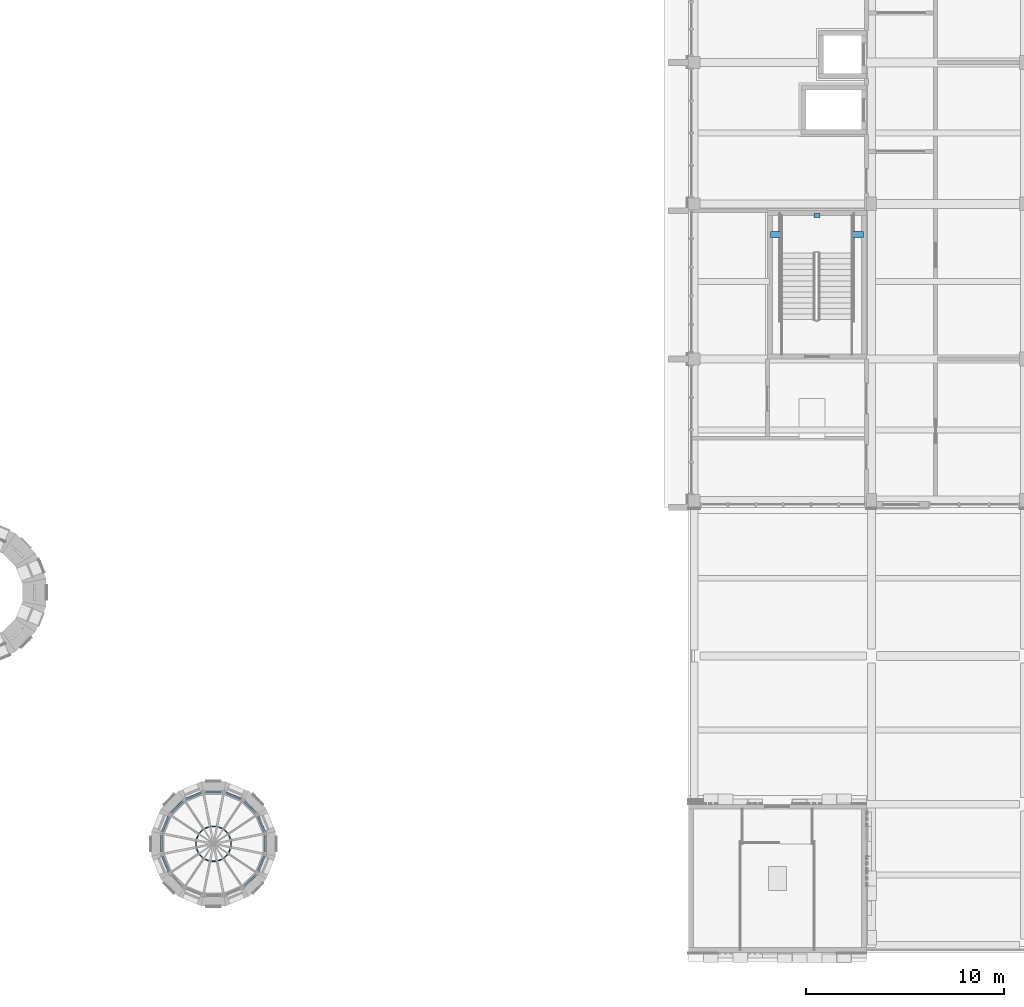
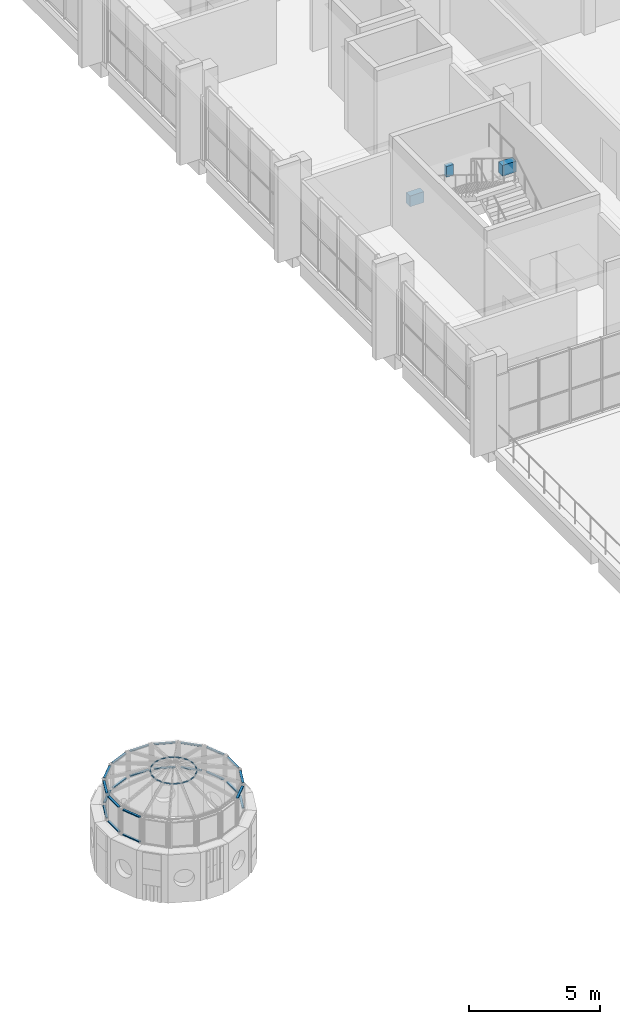
# One storey, part 20 of 42: 39 members, 3 beams, 12 elements without a shape of their own.
"""IFC4 building model written with IfcOpenShell, lengths in metres."""

from ifc_helpers import new_model, si_unit, direction, frame, origin, origin_2d, place, context, subcontext, project, spatial, rectangle, hollow_rectangle, hollow_circle, extrude, material, material_profile, profile_set, type_object, element, aggregate, save


model = new_model("IFC4")

# Units and contexts
model_context = context("Model", 3, precision=1e-05, world=origin(), true_north=direction((0.0, 1.0)))
body_context = subcontext(model_context, "Body", "Model", "MODEL_VIEW")
ifc_project = project(units=[si_unit("LENGTHUNIT", "METRE"), si_unit("AREAUNIT", "SQUARE_METRE"), si_unit("VOLUMEUNIT", "CUBIC_METRE"), si_unit("PLANEANGLEUNIT", "RADIAN"), si_unit("MASSUNIT", "GRAM", prefix="KILO")], contexts=[model_context])

# Site, building, storey
site_placement = place(None, origin())
site = spatial("IfcSite", under=ifc_project, at=site_placement, CompositionType="ELEMENT")
building_placement = place(site_placement, origin())
building = spatial("IfcBuilding", under=site, at=building_placement, Name="Sun Court Science Centre", CompositionType="ELEMENT")
storey_placement = place(building_placement, frame((0.0, 0.0, 20.25)))
storey = spatial("IfcBuildingStorey", under=building, at=storey_placement, Name="L04", CompositionType="ELEMENT", Elevation=20.25)

# Curtain wall, members
ifc_material_1 = material(Name="Aluminium EN AW-6063 T6", Category="aluminium")
curtain_wall_type = type_object("IfcCurtainWallType", Name="Lantern clerestory curtain wall 1500", PredefinedType="NOTDEFINED", material=ifc_material_1)
curtain_wall_1_placement = place(storey_placement, origin())
curtain_wall_1 = element("IfcCurtainWall", 1, at=curtain_wall_1_placement, inside=storey, type_object=curtain_wall_type, Name="Curtain wall V2 C5 clerestory L04 01", PredefinedType="NOTDEFINED")
ifc_material_2 = material(Name="Aluminium EN AW-6063 T6", Category="aluminium")
ifc_material_profile_1 = material_profile(ifc_material_2, hollow_rectangle(XDim=0.050048828125, YDim=0.10009765625, WallThickness=0.00390625, InnerFilletRadius=0.00390625, OuterFilletRadius=0.006103515625, at=origin_2d()), Name="AL 50x100x4")
ifc_profile_set_1 = profile_set([ifc_material_profile_1], Name="Aluminium EN AW-6063 T6")
member_type_1 = type_object("IfcMemberType", Name="Curtain wall transom AL 50x100", PredefinedType="USERDEFINED", material=ifc_profile_set_1)
member_1_placement = place(storey_placement, frame((56.267822265625, 12.888916015625, 1.97509765625), z_axis=(0.382715239219, -0.92386635704, 0.0), x_axis=(0.0, 0.0, 1.0)))
member_1 = element("IfcMember", 2, at=member_1_placement, type_object=member_type_1, Name="CW4-65 transom 1.1", ObjectType="TRANSOM", PredefinedType="USERDEFINED", context=body_context, shape_type="SweptSolid", body=[
    extrude(hollow_rectangle(XDim=0.050048828125, YDim=0.10009765625, WallThickness=0.00390625, InnerFilletRadius=0.00390625, OuterFilletRadius=0.006103515625, at=origin_2d()), origin(), (0.0, 0.0, 1.0), 0.83056640625),
])
member_2_placement = place(storey_placement, frame((56.267822265625, 12.888916015625, 3.125), z_axis=(0.382715239219, -0.92386635704, 0.0), x_axis=(0.0, 0.0, 1.0)))
member_2 = element("IfcMember", 3, at=member_2_placement, type_object=member_type_1, Name="CW4-65 transom 1.2", ObjectType="TRANSOM", PredefinedType="USERDEFINED", context=body_context, shape_type="SweptSolid", body=[
    extrude(hollow_rectangle(XDim=0.050048828125, YDim=0.10009765625, WallThickness=0.00390625, InnerFilletRadius=0.00390625, OuterFilletRadius=0.006103515625, at=origin_2d()), origin(), (0.0, 0.0, 1.0), 0.83056640625),
])
aggregate(curtain_wall_1, [member_1, member_2])

curtain_wall_2_placement = place(storey_placement, origin())
curtain_wall_2 = element("IfcCurtainWall", 4, at=curtain_wall_2_placement, inside=storey, type_object=curtain_wall_type, Name="Curtain wall V2 C5 clerestory L04 02", PredefinedType="NOTDEFINED")
member_3_placement = place(storey_placement, frame((55.563720703125, 13.651123046875, 1.97509765625), z_axis=(0.707106781187, -0.707106781187, 0.0), x_axis=(0.0, 0.0, 1.0)))
member_3 = element("IfcMember", 5, at=member_3_placement, type_object=member_type_1, Name="CW4-66 transom 1.1", ObjectType="TRANSOM", PredefinedType="USERDEFINED", context=body_context, shape_type="SweptSolid", body=[
    extrude(hollow_rectangle(XDim=0.050048828125, YDim=0.10009765625, WallThickness=0.00390625, InnerFilletRadius=0.00390625, OuterFilletRadius=0.006103515625, at=origin_2d()), origin(), (0.0, 0.0, 1.0), 0.830810546875),
])
member_4_placement = place(storey_placement, frame((55.563720703125, 13.651123046875, 3.125), z_axis=(0.707106781187, -0.707106781187, 0.0), x_axis=(0.0, 0.0, 1.0)))
member_4 = element("IfcMember", 6, at=member_4_placement, type_object=member_type_1, Name="CW4-66 transom 1.2", ObjectType="TRANSOM", PredefinedType="USERDEFINED", context=body_context, shape_type="SweptSolid", body=[
    extrude(hollow_rectangle(XDim=0.050048828125, YDim=0.10009765625, WallThickness=0.00390625, InnerFilletRadius=0.00390625, OuterFilletRadius=0.006103515625, at=origin_2d()), origin(), (0.0, 0.0, 1.0), 0.830810546875),
])
aggregate(curtain_wall_2, [member_3, member_4])

curtain_wall_3_placement = place(storey_placement, origin())
curtain_wall_3 = element("IfcCurtainWall", 7, at=curtain_wall_3_placement, inside=storey, type_object=curtain_wall_type, Name="Curtain wall V2 C5 clerestory L04 03", PredefinedType="NOTDEFINED")
member_5_placement = place(storey_placement, frame((54.62158203125, 14.085693359375, 1.97509765625), z_axis=(0.92386635704, -0.382715239219, 0.0), x_axis=(0.0, 0.0, 1.0)))
member_5 = element("IfcMember", 8, at=member_5_placement, type_object=member_type_1, Name="CW4-67 transom 1.1", ObjectType="TRANSOM", PredefinedType="USERDEFINED", context=body_context, shape_type="SweptSolid", body=[
    extrude(hollow_rectangle(XDim=0.050048828125, YDim=0.10009765625, WallThickness=0.00390625, InnerFilletRadius=0.00390625, OuterFilletRadius=0.006103515625, at=origin_2d()), origin(), (0.0, 0.0, 1.0), 0.83056640625),
])
member_6_placement = place(storey_placement, frame((54.62158203125, 14.085693359375, 3.125), z_axis=(0.92386635704, -0.382715239219, 0.0), x_axis=(0.0, 0.0, 1.0)))
member_6 = element("IfcMember", 9, at=member_6_placement, type_object=member_type_1, Name="CW4-67 transom 1.2", ObjectType="TRANSOM", PredefinedType="USERDEFINED", context=body_context, shape_type="SweptSolid", body=[
    extrude(hollow_rectangle(XDim=0.050048828125, YDim=0.10009765625, WallThickness=0.00390625, InnerFilletRadius=0.00390625, OuterFilletRadius=0.006103515625, at=origin_2d()), origin(), (0.0, 0.0, 1.0), 0.83056640625),
])
aggregate(curtain_wall_3, [member_5, member_6])

curtain_wall_4_placement = place(storey_placement, origin())
curtain_wall_4 = element("IfcCurtainWall", 10, at=curtain_wall_4_placement, inside=storey, type_object=curtain_wall_type, Name="Curtain wall V2 C5 clerestory L04 04", PredefinedType="NOTDEFINED")
member_7_placement = place(storey_placement, frame((53.584716796875, 14.126708984375, 1.97509765625), z_axis=(1.0, 0.0, 0.0), x_axis=(0.0, 0.0, 1.0)))
member_7 = element("IfcMember", 11, at=member_7_placement, type_object=member_type_1, Name="CW4-68 transom 1.1", ObjectType="TRANSOM", PredefinedType="USERDEFINED", context=body_context, shape_type="SweptSolid", body=[
    extrude(hollow_rectangle(XDim=0.050048828125, YDim=0.10009765625, WallThickness=0.00390625, InnerFilletRadius=0.00390625, OuterFilletRadius=0.006103515625, at=origin_2d()), origin(), (0.0, 0.0, 1.0), 0.83056640625),
])
member_8_placement = place(storey_placement, frame((53.584716796875, 14.126708984375, 3.125), z_axis=(1.0, 0.0, 0.0), x_axis=(0.0, 0.0, 1.0)))
member_8 = element("IfcMember", 12, at=member_8_placement, type_object=member_type_1, Name="CW4-68 transom 1.2", ObjectType="TRANSOM", PredefinedType="USERDEFINED", context=body_context, shape_type="SweptSolid", body=[
    extrude(hollow_rectangle(XDim=0.050048828125, YDim=0.10009765625, WallThickness=0.00390625, InnerFilletRadius=0.00390625, OuterFilletRadius=0.006103515625, at=origin_2d()), origin(), (0.0, 0.0, 1.0), 0.83056640625),
])
aggregate(curtain_wall_4, [member_7, member_8])

curtain_wall_5_placement = place(storey_placement, origin())
curtain_wall_5 = element("IfcCurtainWall", 13, at=curtain_wall_5_placement, inside=storey, type_object=curtain_wall_type, Name="Curtain wall V2 C5 clerestory L04 05", PredefinedType="NOTDEFINED")
member_9_placement = place(storey_placement, frame((52.611083984375, 13.767822265625, 1.97509765625), z_axis=(0.92386635704, 0.382715239219, 0.0), x_axis=(0.0, 0.0, 1.0)))
member_9 = element("IfcMember", 14, at=member_9_placement, type_object=member_type_1, Name="CW4-69 transom 1.1", ObjectType="TRANSOM", PredefinedType="USERDEFINED", context=body_context, shape_type="SweptSolid", body=[
    extrude(hollow_rectangle(XDim=0.050048828125, YDim=0.10009765625, WallThickness=0.00390625, InnerFilletRadius=0.00390625, OuterFilletRadius=0.006103515625, at=origin_2d()), origin(), (0.0, 0.0, 1.0), 0.83056640625),
])
member_10_placement = place(storey_placement, frame((52.611083984375, 13.767822265625, 3.125), z_axis=(0.92386635704, 0.382715239219, 0.0), x_axis=(0.0, 0.0, 1.0)))
member_10 = element("IfcMember", 15, at=member_10_placement, type_object=member_type_1, Name="CW4-69 transom 1.2", ObjectType="TRANSOM", PredefinedType="USERDEFINED", context=body_context, shape_type="SweptSolid", body=[
    extrude(hollow_rectangle(XDim=0.050048828125, YDim=0.10009765625, WallThickness=0.00390625, InnerFilletRadius=0.00390625, OuterFilletRadius=0.006103515625, at=origin_2d()), origin(), (0.0, 0.0, 1.0), 0.83056640625),
])
aggregate(curtain_wall_5, [member_9, member_10])

curtain_wall_6_placement = place(storey_placement, origin())
curtain_wall_6 = element("IfcCurtainWall", 16, at=curtain_wall_6_placement, inside=storey, type_object=curtain_wall_type, Name="Curtain wall V2 C5 clerestory L04 06", PredefinedType="NOTDEFINED")
member_11_placement = place(storey_placement, frame((51.848876953125, 13.063720703125, 1.97509765625), z_axis=(0.707106781187, 0.707106781187, 0.0), x_axis=(0.0, 0.0, 1.0)))
member_11 = element("IfcMember", 17, at=member_11_placement, type_object=member_type_1, Name="CW4-70 transom 1.1", ObjectType="TRANSOM", PredefinedType="USERDEFINED", context=body_context, shape_type="SweptSolid", body=[
    extrude(hollow_rectangle(XDim=0.050048828125, YDim=0.10009765625, WallThickness=0.00390625, InnerFilletRadius=0.00390625, OuterFilletRadius=0.006103515625, at=origin_2d()), origin(), (0.0, 0.0, 1.0), 0.830810546875),
])
member_12_placement = place(storey_placement, frame((51.848876953125, 13.063720703125, 3.125), z_axis=(0.707106781187, 0.707106781187, 0.0), x_axis=(0.0, 0.0, 1.0)))
member_12 = element("IfcMember", 18, at=member_12_placement, type_object=member_type_1, Name="CW4-70 transom 1.2", ObjectType="TRANSOM", PredefinedType="USERDEFINED", context=body_context, shape_type="SweptSolid", body=[
    extrude(hollow_rectangle(XDim=0.050048828125, YDim=0.10009765625, WallThickness=0.00390625, InnerFilletRadius=0.00390625, OuterFilletRadius=0.006103515625, at=origin_2d()), origin(), (0.0, 0.0, 1.0), 0.830810546875),
])
aggregate(curtain_wall_6, [member_11, member_12])

curtain_wall_7_placement = place(storey_placement, origin())
curtain_wall_7 = element("IfcCurtainWall", 19, at=curtain_wall_7_placement, inside=storey, type_object=curtain_wall_type, Name="Curtain wall V2 C5 clerestory L04 07", PredefinedType="NOTDEFINED")
member_13_placement = place(storey_placement, frame((51.414306640625, 12.12158203125, 1.97509765625), z_axis=(0.382715239219, 0.92386635704, 0.0), x_axis=(0.0, 0.0, 1.0)))
member_13 = element("IfcMember", 20, at=member_13_placement, type_object=member_type_1, Name="CW4-71 transom 1.1", ObjectType="TRANSOM", PredefinedType="USERDEFINED", context=body_context, shape_type="SweptSolid", body=[
    extrude(hollow_rectangle(XDim=0.050048828125, YDim=0.10009765625, WallThickness=0.00390625, InnerFilletRadius=0.00390625, OuterFilletRadius=0.006103515625, at=origin_2d()), origin(), (0.0, 0.0, 1.0), 0.83056640625),
])
member_14_placement = place(storey_placement, frame((51.414306640625, 12.12158203125, 3.125), z_axis=(0.382715239219, 0.92386635704, 0.0), x_axis=(0.0, 0.0, 1.0)))
member_14 = element("IfcMember", 21, at=member_14_placement, type_object=member_type_1, Name="CW4-71 transom 1.2", ObjectType="TRANSOM", PredefinedType="USERDEFINED", context=body_context, shape_type="SweptSolid", body=[
    extrude(hollow_rectangle(XDim=0.050048828125, YDim=0.10009765625, WallThickness=0.00390625, InnerFilletRadius=0.00390625, OuterFilletRadius=0.006103515625, at=origin_2d()), origin(), (0.0, 0.0, 1.0), 0.83056640625),
])
aggregate(curtain_wall_7, [member_13, member_14])

curtain_wall_8_placement = place(storey_placement, origin())
curtain_wall_8 = element("IfcCurtainWall", 22, at=curtain_wall_8_placement, inside=storey, type_object=curtain_wall_type, Name="Curtain wall V2 C5 clerestory L04 08", PredefinedType="NOTDEFINED")
member_15_placement = place(storey_placement, frame((51.373291015625, 11.084716796875, 1.97509765625), z_axis=(0.0, 1.0, 0.0), x_axis=(0.0, 0.0, 1.0)))
member_15 = element("IfcMember", 23, at=member_15_placement, type_object=member_type_1, Name="CW4-72 transom 1.1", ObjectType="TRANSOM", PredefinedType="USERDEFINED", context=body_context, shape_type="SweptSolid", body=[
    extrude(hollow_rectangle(XDim=0.050048828125, YDim=0.10009765625, WallThickness=0.00390625, InnerFilletRadius=0.00390625, OuterFilletRadius=0.006103515625, at=origin_2d()), origin(), (0.0, 0.0, 1.0), 0.83056640625),
])
member_16_placement = place(storey_placement, frame((51.373291015625, 11.084716796875, 3.125), z_axis=(0.0, 1.0, 0.0), x_axis=(0.0, 0.0, 1.0)))
member_16 = element("IfcMember", 24, at=member_16_placement, type_object=member_type_1, Name="CW4-72 transom 1.2", ObjectType="TRANSOM", PredefinedType="USERDEFINED", context=body_context, shape_type="SweptSolid", body=[
    extrude(hollow_rectangle(XDim=0.050048828125, YDim=0.10009765625, WallThickness=0.00390625, InnerFilletRadius=0.00390625, OuterFilletRadius=0.006103515625, at=origin_2d()), origin(), (0.0, 0.0, 1.0), 0.83056640625),
])
aggregate(curtain_wall_8, [member_15, member_16])

curtain_wall_9_placement = place(storey_placement, origin())
curtain_wall_9 = element("IfcCurtainWall", 25, at=curtain_wall_9_placement, inside=storey, type_object=curtain_wall_type, Name="Curtain wall V2 C5 clerestory L04 09", PredefinedType="NOTDEFINED")
member_17_placement = place(storey_placement, frame((51.732177734375, 10.111083984375, 1.97509765625), z_axis=(-0.382715239219, 0.92386635704, 0.0), x_axis=(0.0, 0.0, 1.0)))
member_17 = element("IfcMember", 26, at=member_17_placement, type_object=member_type_1, Name="CW4-73 transom 1.1", ObjectType="TRANSOM", PredefinedType="USERDEFINED", context=body_context, shape_type="SweptSolid", body=[
    extrude(hollow_rectangle(XDim=0.050048828125, YDim=0.10009765625, WallThickness=0.00390625, InnerFilletRadius=0.00390625, OuterFilletRadius=0.006103515625, at=origin_2d()), origin(), (0.0, 0.0, 1.0), 0.83056640625),
])
member_18_placement = place(storey_placement, frame((51.732177734375, 10.111083984375, 3.125), z_axis=(-0.382715239219, 0.92386635704, 0.0), x_axis=(0.0, 0.0, 1.0)))
member_18 = element("IfcMember", 27, at=member_18_placement, type_object=member_type_1, Name="CW4-73 transom 1.2", ObjectType="TRANSOM", PredefinedType="USERDEFINED", context=body_context, shape_type="SweptSolid", body=[
    extrude(hollow_rectangle(XDim=0.050048828125, YDim=0.10009765625, WallThickness=0.00390625, InnerFilletRadius=0.00390625, OuterFilletRadius=0.006103515625, at=origin_2d()), origin(), (0.0, 0.0, 1.0), 0.83056640625),
])
aggregate(curtain_wall_9, [member_17, member_18])

# Curtain wall, member
curtain_wall_10_placement = place(storey_placement, origin())
curtain_wall_10 = element("IfcCurtainWall", 28, at=curtain_wall_10_placement, inside=storey, type_object=curtain_wall_type, Name="Curtain wall V2 C5 clerestory L04 14", PredefinedType="NOTDEFINED")
member_19_placement = place(storey_placement, frame((56.151123046875, 9.936279296875, 3.125), z_axis=(-0.707106781187, -0.707106781187, 0.0), x_axis=(0.0, 0.0, 1.0)))
member_19 = element("IfcMember", 29, at=member_19_placement, type_object=member_type_1, Name="CW4-78 transom 1.2", ObjectType="TRANSOM", PredefinedType="USERDEFINED", context=body_context, shape_type="SweptSolid", body=[
    extrude(hollow_rectangle(XDim=0.050048828125, YDim=0.10009765625, WallThickness=0.00390625, InnerFilletRadius=0.00390625, OuterFilletRadius=0.006103515625, at=origin_2d()), origin(), (0.0, 0.0, 1.0), 0.830810546875),
])
aggregate(curtain_wall_10, [member_19])

# Curtain wall, members
curtain_wall_11_placement = place(storey_placement, origin())
curtain_wall_11 = element("IfcCurtainWall", 30, at=curtain_wall_11_placement, inside=storey, type_object=curtain_wall_type, Name="Curtain wall V2 C5 clerestory L04 15", PredefinedType="NOTDEFINED")
member_20_placement = place(storey_placement, frame((56.585693359375, 10.87841796875, 1.97509765625), z_axis=(-0.382715239219, -0.92386635704, 0.0), x_axis=(0.0, 0.0, 1.0)))
member_20 = element("IfcMember", 31, at=member_20_placement, type_object=member_type_1, Name="CW4-79 transom 1.1", ObjectType="TRANSOM", PredefinedType="USERDEFINED", context=body_context, shape_type="SweptSolid", body=[
    extrude(hollow_rectangle(XDim=0.050048828125, YDim=0.10009765625, WallThickness=0.00390625, InnerFilletRadius=0.00390625, OuterFilletRadius=0.006103515625, at=origin_2d()), origin(), (0.0, 0.0, 1.0), 0.83056640625),
])
member_21_placement = place(storey_placement, frame((56.585693359375, 10.87841796875, 3.125), z_axis=(-0.382715239219, -0.92386635704, 0.0), x_axis=(0.0, 0.0, 1.0)))
member_21 = element("IfcMember", 32, at=member_21_placement, type_object=member_type_1, Name="CW4-79 transom 1.2", ObjectType="TRANSOM", PredefinedType="USERDEFINED", context=body_context, shape_type="SweptSolid", body=[
    extrude(hollow_rectangle(XDim=0.050048828125, YDim=0.10009765625, WallThickness=0.00390625, InnerFilletRadius=0.00390625, OuterFilletRadius=0.006103515625, at=origin_2d()), origin(), (0.0, 0.0, 1.0), 0.83056640625),
])
aggregate(curtain_wall_11, [member_20, member_21])

curtain_wall_12_placement = place(storey_placement, origin())
curtain_wall_12 = element("IfcCurtainWall", 33, at=curtain_wall_12_placement, inside=storey, type_object=curtain_wall_type, Name="Curtain wall V2 C5 clerestory L04 16", PredefinedType="NOTDEFINED")
member_22_placement = place(storey_placement, frame((56.626708984375, 11.915283203125, 1.97509765625), z_axis=(0.0, -1.0, 0.0), x_axis=(0.0, 0.0, 1.0)))
member_22 = element("IfcMember", 34, at=member_22_placement, type_object=member_type_1, Name="CW4-80 transom 1.1", ObjectType="TRANSOM", PredefinedType="USERDEFINED", context=body_context, shape_type="SweptSolid", body=[
    extrude(hollow_rectangle(XDim=0.050048828125, YDim=0.10009765625, WallThickness=0.00390625, InnerFilletRadius=0.00390625, OuterFilletRadius=0.006103515625, at=origin_2d()), origin(), (0.0, 0.0, 1.0), 0.83056640625),
])
member_23_placement = place(storey_placement, frame((56.626708984375, 11.915283203125, 3.125), z_axis=(0.0, -1.0, 0.0), x_axis=(0.0, 0.0, 1.0)))
member_23 = element("IfcMember", 35, at=member_23_placement, type_object=member_type_1, Name="CW4-80 transom 1.2", ObjectType="TRANSOM", PredefinedType="USERDEFINED", context=body_context, shape_type="SweptSolid", body=[
    extrude(hollow_rectangle(XDim=0.050048828125, YDim=0.10009765625, WallThickness=0.00390625, InnerFilletRadius=0.00390625, OuterFilletRadius=0.006103515625, at=origin_2d()), origin(), (0.0, 0.0, 1.0), 0.83056640625),
])
aggregate(curtain_wall_12, [member_22, member_23])

# Members
ifc_material_3 = material(Name="Steel S355", Category="steel")
ifc_material_profile_2 = material_profile(ifc_material_3, hollow_circle(Radius=0.030029296875, WallThickness=0.0048828125, at=origin_2d()), Name="CHS 60.3x5")
ifc_profile_set_2 = profile_set([ifc_material_profile_2], Name="Steel S355")
member_type_2 = type_object("IfcMemberType", Name="Lantern vent ring CHS 60.3x5", PredefinedType="CHORD", material=ifc_profile_set_2)
member_24_placement = place(storey_placement, frame((54.8828125, 11.675537109375, 3.672119140625), z_axis=(-0.382986090474, 0.923754109329, 0.0), x_axis=(-0.923754109329, -0.382986090474, 0.0)))
element("IfcMember", 36, at=member_24_placement, inside=storey, type_object=member_type_2, Name="Cone 5 lantern vent ring 1", PredefinedType="CHORD", context=body_context, shape_type="SweptSolid", body=[
    extrude(hollow_circle(Radius=0.030029296875, WallThickness=0.0048828125, at=origin_2d()), origin(), (0.0, 0.0, 1.0), 0.351318359375),
])
member_25_placement = place(storey_placement, frame((54.748291015625, 12.0, 3.672119140625), z_axis=(-0.707106781187, 0.707106781187, 0.0), x_axis=(-0.707106781187, -0.707106781187, 0.0)))
element("IfcMember", 37, at=member_25_placement, inside=storey, type_object=member_type_2, Name="Cone 5 lantern vent ring 2", PredefinedType="CHORD", context=body_context, shape_type="SweptSolid", body=[
    extrude(hollow_circle(Radius=0.030029296875, WallThickness=0.0048828125, at=origin_2d()), origin(), (0.0, 0.0, 1.0), 0.35107421875),
])
member_26_placement = place(storey_placement, frame((54.5, 12.248291015625, 3.672119140625), z_axis=(-0.923754109329, 0.382986090474, 0.0), x_axis=(-0.382986090474, -0.923754109329, 0.0)))
element("IfcMember", 38, at=member_26_placement, inside=storey, type_object=member_type_2, Name="Cone 5 lantern vent ring 3", PredefinedType="CHORD", context=body_context, shape_type="SweptSolid", body=[
    extrude(hollow_circle(Radius=0.030029296875, WallThickness=0.0048828125, at=origin_2d()), origin(), (0.0, 0.0, 1.0), 0.351318359375),
])
member_27_placement = place(storey_placement, frame((54.175537109375, 12.3828125, 3.672119140625), z_axis=(-1.0, 0.0, 0.0), x_axis=(0.0, -1.0, 0.0)))
element("IfcMember", 39, at=member_27_placement, inside=storey, type_object=member_type_2, Name="Cone 5 lantern vent ring 4", PredefinedType="CHORD", context=body_context, shape_type="SweptSolid", body=[
    extrude(hollow_circle(Radius=0.030029296875, WallThickness=0.0048828125, at=origin_2d()), origin(), (0.0, 0.0, 1.0), 0.35107421875),
])
member_28_placement = place(storey_placement, frame((53.824462890625, 12.3828125, 3.672119140625), z_axis=(-0.923754109329, -0.382986090474, 0.0), x_axis=(0.382986090474, -0.923754109329, 0.0)))
element("IfcMember", 40, at=member_28_placement, inside=storey, type_object=member_type_2, Name="Cone 5 lantern vent ring 5", PredefinedType="CHORD", context=body_context, shape_type="SweptSolid", body=[
    extrude(hollow_circle(Radius=0.030029296875, WallThickness=0.0048828125, at=origin_2d()), origin(), (0.0, 0.0, 1.0), 0.351318359375),
])
member_29_placement = place(storey_placement, frame((53.5, 12.248291015625, 3.672119140625), z_axis=(-0.707106781187, -0.707106781187, 0.0), x_axis=(0.707106781187, -0.707106781187, 0.0)))
element("IfcMember", 41, at=member_29_placement, inside=storey, type_object=member_type_2, Name="Cone 5 lantern vent ring 6", PredefinedType="CHORD", context=body_context, shape_type="SweptSolid", body=[
    extrude(hollow_circle(Radius=0.030029296875, WallThickness=0.0048828125, at=origin_2d()), origin(), (0.0, 0.0, 1.0), 0.35107421875),
])
member_30_placement = place(storey_placement, frame((53.251708984375, 12.0, 3.672119140625), z_axis=(-0.382986090474, -0.923754109329, 0.0), x_axis=(0.923754109329, -0.382986090474, 0.0)))
element("IfcMember", 42, at=member_30_placement, inside=storey, type_object=member_type_2, Name="Cone 5 lantern vent ring 7", PredefinedType="CHORD", context=body_context, shape_type="SweptSolid", body=[
    extrude(hollow_circle(Radius=0.030029296875, WallThickness=0.0048828125, at=origin_2d()), origin(), (0.0, 0.0, 1.0), 0.351318359375),
])
member_31_placement = place(storey_placement, frame((53.1171875, 11.675537109375, 3.672119140625), z_axis=(0.0, -1.0, 0.0), x_axis=(1.0, 0.0, 0.0)))
element("IfcMember", 43, at=member_31_placement, inside=storey, type_object=member_type_2, Name="Cone 5 lantern vent ring 8", PredefinedType="CHORD", context=body_context, shape_type="SweptSolid", body=[
    extrude(hollow_circle(Radius=0.030029296875, WallThickness=0.0048828125, at=origin_2d()), origin(), (0.0, 0.0, 1.0), 0.35107421875),
])
member_32_placement = place(storey_placement, frame((53.1171875, 11.324462890625, 3.672119140625), z_axis=(0.382986090474, -0.923754109329, 0.0), x_axis=(0.923754109329, 0.382986090474, 0.0)))
element("IfcMember", 44, at=member_32_placement, inside=storey, type_object=member_type_2, Name="Cone 5 lantern vent ring 9", PredefinedType="CHORD", context=body_context, shape_type="SweptSolid", body=[
    extrude(hollow_circle(Radius=0.030029296875, WallThickness=0.0048828125, at=origin_2d()), origin(), (0.0, 0.0, 1.0), 0.351318359375),
])
member_33_placement = place(storey_placement, frame((53.251708984375, 11.0, 3.672119140625), z_axis=(0.707106781187, -0.707106781187, 0.0), x_axis=(0.707106781187, 0.707106781187, 0.0)))
element("IfcMember", 45, at=member_33_placement, inside=storey, type_object=member_type_2, Name="Cone 5 lantern vent ring 10", PredefinedType="CHORD", context=body_context, shape_type="SweptSolid", body=[
    extrude(hollow_circle(Radius=0.030029296875, WallThickness=0.0048828125, at=origin_2d()), origin(), (0.0, 0.0, 1.0), 0.35107421875),
])
member_34_placement = place(storey_placement, frame((53.5, 10.751708984375, 3.672119140625), z_axis=(0.923754109329, -0.382986090474, 0.0), x_axis=(0.382986090474, 0.923754109329, 0.0)))
element("IfcMember", 46, at=member_34_placement, inside=storey, type_object=member_type_2, Name="Cone 5 lantern vent ring 11", PredefinedType="CHORD", context=body_context, shape_type="SweptSolid", body=[
    extrude(hollow_circle(Radius=0.030029296875, WallThickness=0.0048828125, at=origin_2d()), origin(), (0.0, 0.0, 1.0), 0.351318359375),
])
member_35_placement = place(storey_placement, frame((53.824462890625, 10.6171875, 3.672119140625), z_axis=(1.0, 0.0, 0.0), x_axis=(0.0, 1.0, 0.0)))
element("IfcMember", 47, at=member_35_placement, inside=storey, type_object=member_type_2, Name="Cone 5 lantern vent ring 12", PredefinedType="CHORD", context=body_context, shape_type="SweptSolid", body=[
    extrude(hollow_circle(Radius=0.030029296875, WallThickness=0.0048828125, at=origin_2d()), origin(), (0.0, 0.0, 1.0), 0.35107421875),
])
member_36_placement = place(storey_placement, frame((54.175537109375, 10.6171875, 3.672119140625), z_axis=(0.923754109329, 0.382986090474, 0.0), x_axis=(-0.382986090474, 0.923754109329, 0.0)))
element("IfcMember", 48, at=member_36_placement, inside=storey, type_object=member_type_2, Name="Cone 5 lantern vent ring 13", PredefinedType="CHORD", context=body_context, shape_type="SweptSolid", body=[
    extrude(hollow_circle(Radius=0.030029296875, WallThickness=0.0048828125, at=origin_2d()), origin(), (0.0, 0.0, 1.0), 0.351318359375),
])
member_37_placement = place(storey_placement, frame((54.5, 10.751708984375, 3.672119140625), z_axis=(0.707106781187, 0.707106781187, 0.0), x_axis=(-0.707106781187, 0.707106781187, 0.0)))
element("IfcMember", 49, at=member_37_placement, inside=storey, type_object=member_type_2, Name="Cone 5 lantern vent ring 14", PredefinedType="CHORD", context=body_context, shape_type="SweptSolid", body=[
    extrude(hollow_circle(Radius=0.030029296875, WallThickness=0.0048828125, at=origin_2d()), origin(), (0.0, 0.0, 1.0), 0.35107421875),
])
member_38_placement = place(storey_placement, frame((54.748291015625, 11.0, 3.672119140625), z_axis=(0.382986090474, 0.923754109329, 0.0), x_axis=(-0.923754109329, 0.382986090474, 0.0)))
element("IfcMember", 50, at=member_38_placement, inside=storey, type_object=member_type_2, Name="Cone 5 lantern vent ring 15", PredefinedType="CHORD", context=body_context, shape_type="SweptSolid", body=[
    extrude(hollow_circle(Radius=0.030029296875, WallThickness=0.0048828125, at=origin_2d()), origin(), (0.0, 0.0, 1.0), 0.351318359375),
])
member_39_placement = place(storey_placement, frame((54.8828125, 11.324462890625, 3.672119140625), z_axis=(0.0, 1.0, 0.0), x_axis=(-1.0, 0.0, 0.0)))
element("IfcMember", 51, at=member_39_placement, inside=storey, type_object=member_type_2, Name="Cone 5 lantern vent ring 16", PredefinedType="CHORD", context=body_context, shape_type="SweptSolid", body=[
    extrude(hollow_circle(Radius=0.030029296875, WallThickness=0.0048828125, at=origin_2d()), origin(), (0.0, 0.0, 1.0), 0.35107421875),
])

# Beams
ifc_material_4 = material(Name="Concrete C25/30", Category="concrete")
ifc_material_profile_3 = material_profile(ifc_material_4, rectangle(XDim=0.300048828125, YDim=0.5, at=origin_2d()), Name="RC 300x500")
ifc_profile_set_3 = profile_set([ifc_material_profile_3], Name="Concrete C25/30")
beam_type = type_object("IfcBeamType", Name="RC landing trimmer 300x500", PredefinedType="BEAM", material=ifc_profile_set_3)
for number, where, z_axis, x_axis, name in (
    (52, (86.85009765625, 42.303955078125, 1.800048828125), (-1.0, 0.0, 0.0), (0.0, -1.0, 0.0), "SL2 landing 1 trimmer beam 25"),
    (53, (82.14990234375, 42.303955078125, 1.800048828125), (1.0, 0.0, 0.0), (0.0, 1.0, 0.0), "SL2 landing 1 trimmer beam 26"),
):
    element("IfcBeam", number, at=place(storey_placement, frame(where, z_axis=z_axis, x_axis=x_axis)), inside=storey, type_object=beam_type, Name=name, PredefinedType="BEAM", context=body_context, shape_type="SweptSolid", body=[
        extrude(rectangle(XDim=0.300048828125, YDim=0.5, at=origin_2d()), origin(), (0.0, 0.0, 1.0), 0.6171875),
    ])
beam_placement = place(storey_placement, frame((84.5, 43.35009765625, 1.800048828125), z_axis=(0.0, -1.0, 0.0), x_axis=(1.0, 0.0, 0.0)))
element("IfcBeam", 54, at=beam_placement, inside=storey, type_object=beam_type, Name="SL2 landing 1 trimmer beam 27", PredefinedType="BEAM", context=body_context, shape_type="SweptSolid", body=[
    extrude(rectangle(XDim=0.300048828125, YDim=0.5, at=origin_2d()), origin(), (0.0, 0.0, 1.0), 0.190185546875),
])

save(model, "model.ifc")
